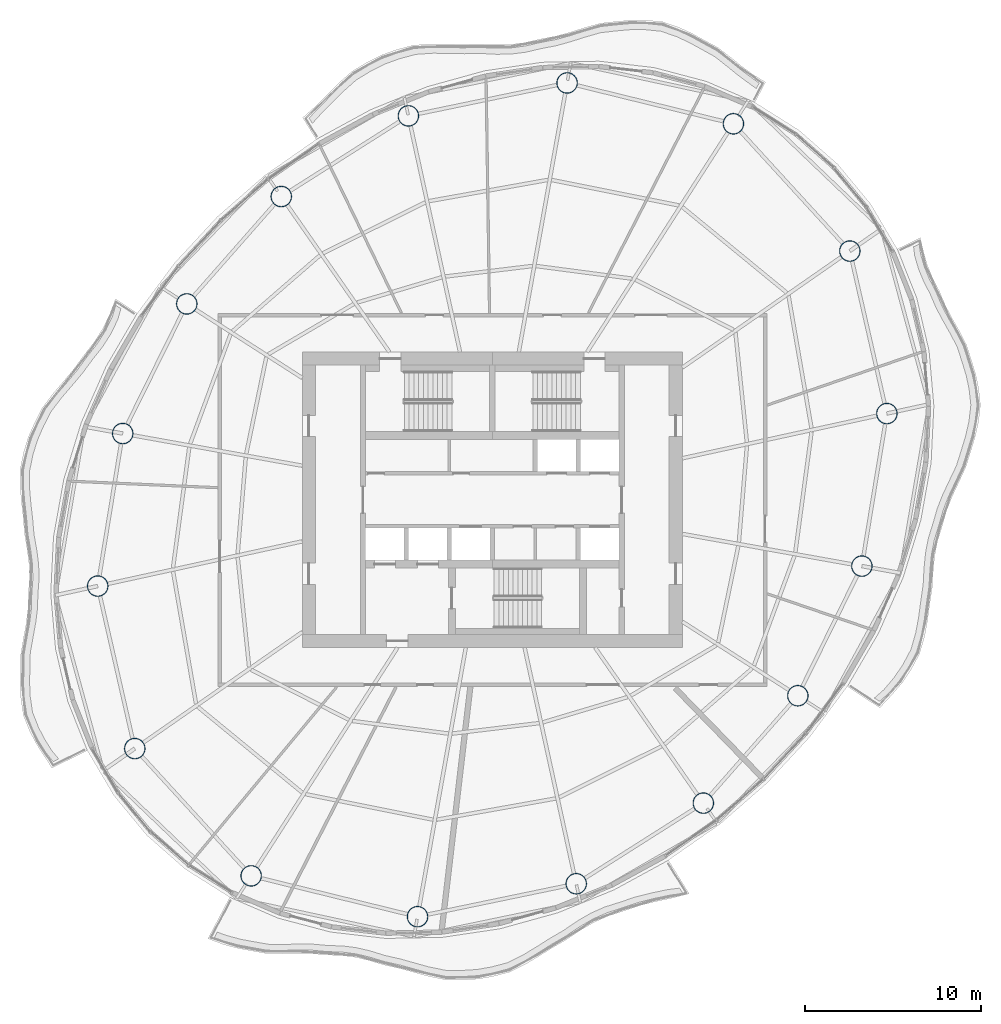
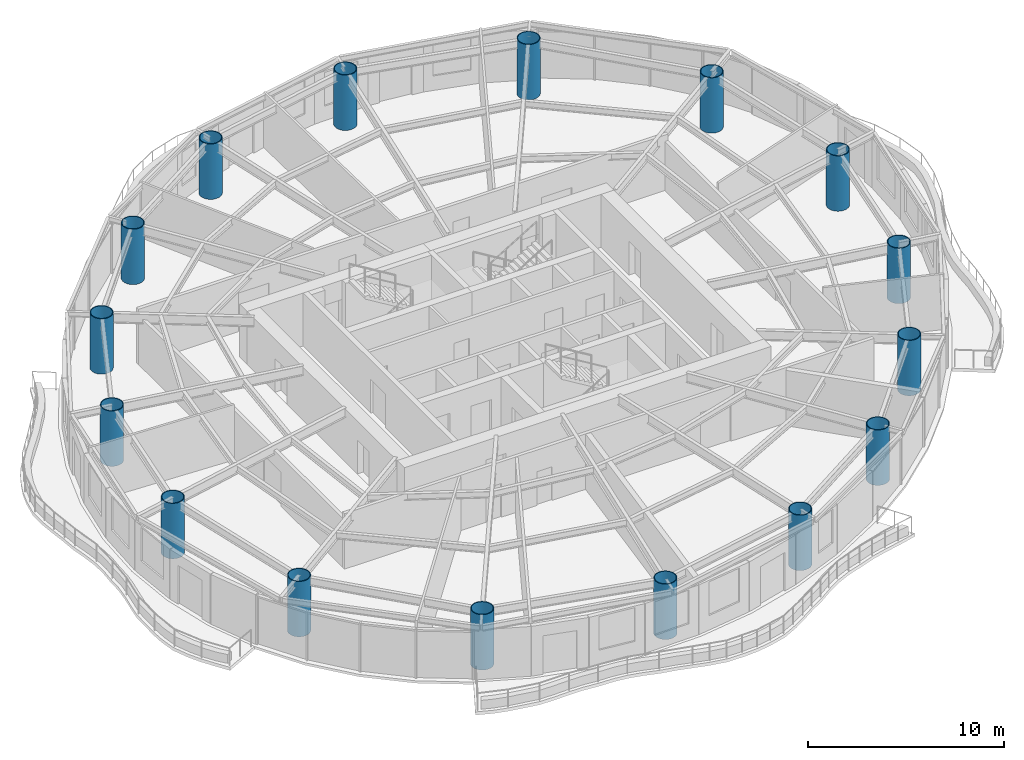
# One storey, part 1 of 14: 16 columns.
"""IFC4 building model written with IfcOpenShell, lengths in metres."""

from ifc_helpers import new_model, si_unit, direction, frame, origin, origin_2d, place, context, subcontext, project, spatial, hollow_circle, extrude, material, material_profile, profile_set, type_object, element, save


model = new_model("IFC4")

# Units and contexts
model_context = context("Model", 3, precision=1e-05, world=origin(), true_north=direction((0.0, 1.0)))
body_context = subcontext(model_context, "Body", "Model", "MODEL_VIEW")
ifc_project = project(units=[si_unit("LENGTHUNIT", "METRE"), si_unit("AREAUNIT", "SQUARE_METRE"), si_unit("VOLUMEUNIT", "CUBIC_METRE"), si_unit("PLANEANGLEUNIT", "RADIAN"), si_unit("MASSUNIT", "GRAM", prefix="KILO")], contexts=[model_context])

# Site, building, storey
site_placement = place(None, origin())
site = spatial("IfcSite", under=ifc_project, at=site_placement, CompositionType="ELEMENT")
building_placement = place(site_placement, origin())
building = spatial("IfcBuilding", under=site, at=building_placement, Name="Vermilion Reach Broadcast Tower", CompositionType="ELEMENT")
storey_placement = place(building_placement, frame((0.0, 0.0, 210.10009765625)))
storey = spatial("IfcBuildingStorey", under=building, at=storey_placement, Name="L51", CompositionType="ELEMENT", Elevation=210.10009765625)

# Columns
ifc_material = material(Name="Concrete C60 infill in steel S460NL tube", Category="concrete")
ifc_material_profile = material_profile(ifc_material, hollow_circle(Radius=0.60009765625, WallThickness=0.044921875, at=origin_2d()), Name="Concrete C60 infill in steel S460NL tube CFT 1200x45")
ifc_profile_set = profile_set([ifc_material_profile], Name="Concrete C60 infill in steel S460NL tube")
column_type = type_object("IfcColumnType", Name="MC4 CFT 1200x45", PredefinedType="COLUMN", material=ifc_profile_set)
for number, where, z_axis, x_axis, name in (
    (1, (7.70361328125, 21.3701171875, 0.0), (0.0, 0.0, 1.0), (1.0, 0.0, 0.0), "Mega-column MC4-01"),
    (2, (-1.75, 23.691162109375, 0.0), (0.0, 0.0, 1.0), (1.0, 0.0, 0.0), "Mega-column MC4-02"),
    (3, (-10.769287109375, 21.818603515625, 0.0), (0.0, 0.0, 1.0), (1.0, 0.0, 0.0), "Mega-column MC4-03"),
    (4, (-17.993408203125, 17.23681640625, 0.0), (0.0, 0.0, 1.0), (1.0, 0.0, 0.0), "Mega-column MC4-04"),
    (5, (-23.36279296875, 11.134033203125, 0.0), (0.0, 0.0, 1.0), (1.0, 0.0, 0.0), "Mega-column MC4-05"),
    (6, (-27.002685546875, 3.767578125, 0.0), (0.0, 0.0, 1.0), (1.0, 0.0, 0.0), "Mega-column MC4-06"),
    (7, (-28.423828125, -4.9013671875, 0.0), (0.0, 0.0, 1.0), (1.0, 0.0, 0.0), "Mega-column MC4-07"),
    (8, (-26.318115234375, -14.13720703125, 0.0), (0.0, 0.0, 1.0), (1.0, 0.0, 0.0), "Mega-column MC4-08"),
    (9, (-19.70361328125, -21.3701171875, 0.0), (0.0, 0.0, 1.0), (1.0, 0.0, 0.0), "Mega-column MC4-09"),
    (10, (-10.25, -23.691162109375, 0.0), (0.0, 0.0, 1.0), (1.0, 0.0, 0.0), "Mega-column MC4-10"),
    (11, (-1.230712890625, -21.818603515625, 0.0), (0.0, 0.0, 1.0), (1.0, 0.0, 0.0), "Mega-column MC4-11"),
    (12, (5.993408203125, -17.23681640625, 0.0), (0.0, 0.0, 1.0), (1.0, 0.0, 0.0), "Mega-column MC4-12"),
    (13, (11.36279296875, -11.134033203125, 0.0), (0.0, 0.0, 1.0), (1.0, 0.0, 0.0), "Mega-column MC4-13"),
    (14, (15.002685546875, -3.767578125, 0.0), (0.0, 0.0, 1.0), (1.0, 0.0, 0.0), "Mega-column MC4-14"),
    (15, (16.423828125, 4.9013671875, 0.0), (0.0, 0.0, 1.0), (1.0, 0.0, 0.0), "Mega-column MC4-15"),
    (16, (14.318115234375, 14.13720703125, 0.0), (0.0, 0.0, 1.0), (1.0, 0.0, 0.0), "Mega-column MC4-16"),
):
    element("IfcColumn", number, at=place(storey_placement, frame(where, z_axis=z_axis, x_axis=x_axis)), inside=storey, type_object=column_type, Name=name, PredefinedType="COLUMN", context=body_context, shape_type="SweptSolid", body=[
        extrude(hollow_circle(Radius=0.60009765625, WallThickness=0.044921875, at=origin_2d()), origin(), (0.0, 0.0, 1.0), 3.449951171875),
    ])

save(model, "model.ifc")
